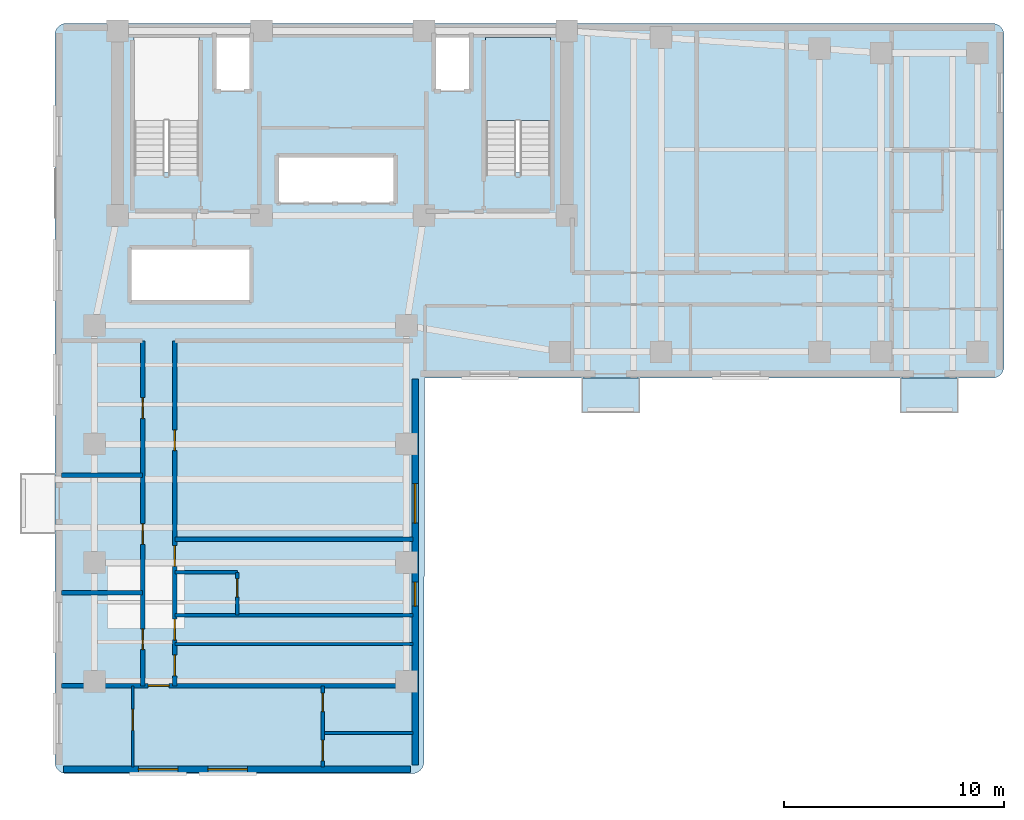
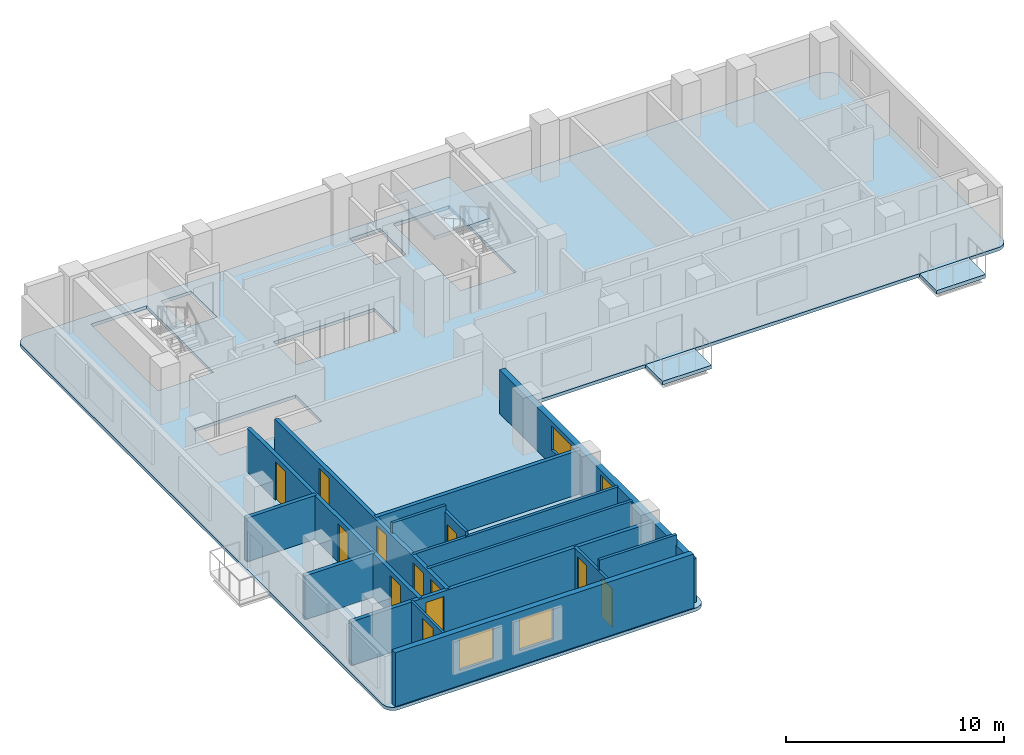
# One storey, part 2 of 7: 15 walls, 12 doors, 4 slabs, 4 windows, 16 openings, 1 element without a shape of its own.
"""IFC4 building model written with IfcOpenShell, lengths in metres."""

from ifc_helpers import new_model, si_unit, direction, frame, frame_2d, origin, place, context, subcontext, project, spatial, polyline, rectangle, outline, extrude, material, layer, layer_set, type_object, element, fill, aggregate, save


model = new_model("IFC4")

# Units and contexts
model_context = context("Model", 3, precision=1e-05, world=origin(), true_north=direction((0.0, 1.0)))
body_context = subcontext(model_context, "Body", "Model", "MODEL_VIEW")
ifc_project = project(units=[si_unit("LENGTHUNIT", "METRE"), si_unit("AREAUNIT", "SQUARE_METRE"), si_unit("VOLUMEUNIT", "CUBIC_METRE"), si_unit("PLANEANGLEUNIT", "RADIAN"), si_unit("MASSUNIT", "GRAM", prefix="KILO")], contexts=[model_context])

# Site, building, storey
site_placement = place(None, origin())
site = spatial("IfcSite", under=ifc_project, at=site_placement, CompositionType="ELEMENT")
building_placement = place(site_placement, origin())
building = spatial("IfcBuilding", under=site, at=building_placement, Name="Kuzgunbayir Cultural Tower", CompositionType="ELEMENT")
storey_placement = place(building_placement, frame((0.0, 0.0, 126.60009765625)))
storey = spatial("IfcBuildingStorey", under=building, at=storey_placement, Name="L36", CompositionType="ELEMENT", Elevation=126.60009765625)

# Slabs
ifc_material_1 = material(Name="Concrete C40/50", Category="concrete")
ifc_layer_1 = layer(ifc_material_1, 0.199951171875)
ifc_layer_set_1 = layer_set([ifc_layer_1], Name="Concrete C40/50")
slab_type_1 = type_object("IfcSlabType", Name="SLB-BAL-STONE", PredefinedType="FLOOR", material=ifc_layer_set_1)
slab_1_placement = place(storey_placement, frame((0.0, 0.0, -0.2001953125)))
element("IfcSlab", 1, at=slab_1_placement, inside=storey, type_object=slab_type_1, Name="L36 Projecting Limestone Balcony BAL-L36-WB1", PredefinedType="FLOOR", context=body_context, shape_type="SweptSolid", body=[
    extrude(outline(polyline([(27.60009765625, 24.840087890625), (30.199951171875, 24.840087890625), (30.199951171875, 26.39990234375), (27.60009765625, 26.39990234375), (27.60009765625, 24.840087890625)])), origin(), (0.0, 0.0, 1.0), 0.2001953125),
])
slab_2_placement = place(storey_placement, frame((0.0, 0.0, -0.2001953125)))
element("IfcSlab", 2, at=slab_2_placement, inside=storey, type_object=slab_type_1, Name="L36 Projecting Limestone Balcony BAL-L36-WB3", PredefinedType="FLOOR", context=body_context, shape_type="SweptSolid", body=[
    extrude(outline(polyline([(42.10009765625, 24.840087890625), (44.699951171875, 24.840087890625), (44.699951171875, 26.39990234375), (42.10009765625, 26.39990234375), (42.10009765625, 24.840087890625)])), origin(), (0.0, 0.0, 1.0), 0.2001953125),
])

# Stair, slab
stair_type = type_object("IfcStairType", Name="STR-EXIT-CORE", PredefinedType="HALF_TURN_STAIR", material=ifc_material_1)
stair_placement = place(storey_placement, origin())
stair = element("IfcStair", 3, at=stair_placement, inside=storey, type_object=stair_type, Name="L36 ST-2", PredefinedType="HALF_TURN_STAIR")
ifc_layer_2 = layer(ifc_material_1, 0.179931640625)
ifc_layer_set_2 = layer_set([ifc_layer_2], Name="Concrete C40/50")
slab_type_2 = type_object("IfcSlabType", Name="SLB-LANDING-180", PredefinedType="LANDING", material=ifc_layer_set_2)
slab_3_placement = place(storey_placement, frame((0.0, 0.0, 1.39990234375)))
slab_3 = element("IfcSlab", 4, at=slab_3_placement, type_object=slab_type_2, Name="ST-2 landing 1", PredefinedType="LANDING", context=body_context, shape_type="SweptSolid", body=[
    extrude(outline(polyline([(26.159912109375, 38.1201171875), (26.159912109375, 41.89990234375), (23.199951171875, 41.89990234375), (23.199951171875, 38.1201171875), (26.159912109375, 38.1201171875)])), origin(), (0.0, 0.0, 1.0), 0.199951171875),
])
aggregate(stair, [slab_3])

# Slab
ifc_layer_3 = layer(ifc_material_1, 0.179931640625)
ifc_layer_set_3 = layer_set([ifc_layer_3], Name="Concrete C40/50")
slab_type_3 = type_object("IfcSlabType", Name="SLB-TYP-180", PredefinedType="FLOOR", material=ifc_layer_set_3)
slab_4_placement = place(storey_placement, frame((0.0, 0.0, -0.18017578125)))
element("IfcSlab", 5, at=slab_4_placement, inside=storey, type_object=slab_type_3, Name="L36 Tower 1 Floor Slab T1-MAIN", PredefinedType="FLOOR", context=body_context, shape_type="SweptSolid", body=[
    extrude(outline(polyline([(20.39990234375, 8.949951171875), (20.389892578125, 8.840087890625), (20.360107421875, 8.739990234375), (20.31005859375, 8.639892578125), (20.239990234375, 8.56005859375), (20.159912109375, 8.489990234375), (20.06005859375, 8.43994140625), (19.9599609375, 8.409912109375), (19.85009765625, 8.39990234375), (4.14990234375, 8.39990234375), (4.0400390625, 8.409912109375), (3.93994140625, 8.43994140625), (3.840087890625, 8.489990234375), (3.760009765625, 8.56005859375), (3.68994140625, 8.639892578125), (3.639892578125, 8.739990234375), (3.610107421875, 8.840087890625), (3.60009765625, 8.949951171875), (3.60009765625, 42.0), (3.610107421875, 42.110107421875), (3.639892578125, 42.2099609375), (3.68994140625, 42.31005859375), (3.760009765625, 42.389892578125), (3.840087890625, 42.4599609375), (3.93994140625, 42.510009765625), (4.0400390625, 42.5400390625), (4.14990234375, 42.550048828125), (46.25, 42.550048828125), (46.360107421875, 42.5400390625), (46.4599609375, 42.510009765625), (46.56005859375, 42.4599609375), (46.639892578125, 42.389892578125), (46.7099609375, 42.31005859375), (46.760009765625, 42.2099609375), (46.7900390625, 42.110107421875), (46.800048828125, 42.0), (46.800048828125, 26.949951171875), (46.7900390625, 26.840087890625), (46.760009765625, 26.739990234375), (46.7099609375, 26.639892578125), (46.639892578125, 26.56005859375), (46.56005859375, 26.489990234375), (46.4599609375, 26.43994140625), (46.360107421875, 26.409912109375), (46.25, 26.39990234375), (20.429931640625, 26.39990234375), (20.39990234375, 8.949951171875)]), holes=[polyline([(7.199951171875, 35.760009765625), (7.199951171875, 41.89990234375), (10.159912109375, 41.89990234375), (10.159912109375, 35.760009765625), (7.199951171875, 35.760009765625)]), polyline([(23.199951171875, 35.760009765625), (23.199951171875, 41.89990234375), (26.159912109375, 41.89990234375), (26.159912109375, 35.760009765625), (23.199951171875, 35.760009765625)]), polyline([(13.75, 34.39990234375), (13.75, 36.5), (19.080078125, 36.5), (19.080078125, 34.39990234375), (13.75, 34.39990234375)]), polyline([(7.10009765625, 29.89990234375), (7.10009765625, 32.300048828125), (12.5, 32.300048828125), (12.5, 29.89990234375), (7.10009765625, 29.89990234375)]), polyline([(10.89990234375, 39.5), (10.89990234375, 41.89990234375), (12.5, 41.89990234375), (12.5, 39.5), (10.89990234375, 39.5)]), polyline([(20.89990234375, 39.5), (20.89990234375, 41.89990234375), (22.5, 41.89990234375), (22.5, 39.5), (20.89990234375, 39.5)])]), origin(), (0.0, 0.0, 1.0), 0.18017578125),
])

# Wall, openings, windows
ifc_material_2 = material(Name="Anatolian Cream Limestone", Category="masonry")
ifc_layer_4 = layer(ifc_material_2, 0.300048828125)
ifc_layer_set_4 = layer_set([ifc_layer_4], Name="Anatolian Cream Limestone")
wall_type_1 = type_object("IfcWallType", Name="WAL-EXT-STONE-300", PredefinedType="STANDARD", material=ifc_layer_set_4)
wall_1_placement = place(storey_placement, frame((4.0, 8.60009765625, 0.0), z_axis=(0.0, 0.0, 1.0), x_axis=(1.0, 0.0, 0.0)))
wall_1 = element("IfcWall", 6, at=wall_1_placement, inside=storey, type_object=wall_type_1, Name="L36 Wing A South Limestone Wall", PredefinedType="STANDARD", context=body_context, shape_type="SweptSolid", body=[
    extrude(rectangle(XDim=15.800048828125, YDim=0.300048828125, at=frame_2d((7.89990234375, 0.0))), origin(), (0.0, 0.0, 1.0), 3.02001953125),
])
opening_1_placement = place(wall_1_placement, frame((6.570068359375, 0.0, 0.85009765625)))
opening_1 = element("IfcOpeningElement", 7, at=opening_1_placement, cuts=wall_1, Name="Opening WH-18", PredefinedType="OPENING", context=body_context, shape_type="SweptSolid", body=[
    extrude(rectangle(XDim=1.800048828125, YDim=1.75, at=frame_2d((0.89990234375, 0.875))), frame((0.0, 0.16015625, 0.0), z_axis=(0.0, -1.0, 0.0), x_axis=(1.0, 0.0, 0.0)), (0.0, 0.0, 1.0), 0.320068359375),
])
opening_2_placement = place(wall_1_placement, frame((3.39990234375, 0.0, 0.85009765625)))
opening_2 = element("IfcOpeningElement", 8, at=opening_2_placement, cuts=wall_1, Name="Opening WH-18", PredefinedType="OPENING", context=body_context, shape_type="SweptSolid", body=[
    extrude(rectangle(XDim=1.800048828125, YDim=1.75, at=frame_2d((0.89990234375, 0.875))), frame((0.0, 0.16015625, 0.0), z_axis=(0.0, -1.0, 0.0), x_axis=(1.0, 0.0, 0.0)), (0.0, 0.0, 1.0), 0.320068359375),
])
ifc_material_3 = material(Name="Solar-Control Triple Glazing", Category="glass")
window_type_1 = type_object("IfcWindowType", Name="WIN-HOTEL-18", PartitioningType="SINGLE_PANEL", PredefinedType="WINDOW", material=ifc_material_3)
window_1_placement = place(opening_1_placement, origin())
window_1 = element("IfcWindow", 9, at=window_1_placement, inside=storey, type_object=window_type_1, Name="L36 WAS Facade Window 2", OverallHeight=1.75, OverallWidth=1.800048828125, PartitioningType="SINGLE_PANEL", PredefinedType="WINDOW", context=body_context, shape_type="SweptSolid", body=[
    extrude(rectangle(XDim=1.800048828125, YDim=1.75, at=frame_2d((0.89990234375, 0.875))), frame((0.0, 0.030029296875, 0.0), z_axis=(0.0, -1.0, 0.0), x_axis=(1.0, 0.0, 0.0)), (0.0, 0.0, 1.0), 0.06005859375),
])
fill(opening_1, window_1)
window_2_placement = place(opening_2_placement, origin())
window_2 = element("IfcWindow", 10, at=window_2_placement, inside=storey, type_object=window_type_1, Name="L36 WAS Facade Window 11", OverallHeight=1.75, OverallWidth=1.800048828125, PartitioningType="SINGLE_PANEL", PredefinedType="WINDOW", context=body_context, shape_type="SweptSolid", body=[
    extrude(rectangle(XDim=1.800048828125, YDim=1.75, at=frame_2d((0.89990234375, 0.875))), frame((0.0, 0.030029296875, 0.0), z_axis=(0.0, -1.0, 0.0), x_axis=(1.0, 0.0, 0.0)), (0.0, 0.0, 1.0), 0.06005859375),
])
fill(opening_2, window_2)

wall_2_placement = place(storey_placement, frame((20.0, 8.800048828125, 0.0), z_axis=(0.0, 0.0, 1.0), x_axis=(0.0, 1.0, 0.0)))
wall_2 = element("IfcWall", 11, at=wall_2_placement, inside=storey, type_object=wall_type_1, Name="L36 Wing A East Limestone Wall", PredefinedType="STANDARD", context=body_context, shape_type="SweptSolid", body=[
    extrude(rectangle(XDim=17.550048828125, YDim=0.300048828125, at=frame_2d((8.77490234375, 0.0))), origin(), (0.0, 0.0, 1.0), 2.449951171875),
])
opening_3_placement = place(wall_2_placement, frame((7.219970703125, 0.0, 0.85009765625)))
opening_3 = element("IfcOpeningElement", 12, at=opening_3_placement, cuts=wall_2, Name="Opening WN-11", PredefinedType="OPENING", context=body_context, shape_type="SweptSolid", body=[
    extrude(rectangle(XDim=1.10009765625, YDim=1.35009765625, at=frame_2d((0.550048828125, 0.675048828125))), frame((0.0, 0.16015625, 0.0), z_axis=(0.0, -1.0, 0.0), x_axis=(1.0, 0.0, 0.0)), (0.0, 0.0, 1.0), 0.320068359375),
])
opening_4_placement = place(wall_2_placement, frame((11.0, 0.0, 0.85009765625)))
opening_4 = element("IfcOpeningElement", 13, at=opening_4_placement, cuts=wall_2, Name="Opening WH-18", PredefinedType="OPENING", context=body_context, shape_type="SweptSolid", body=[
    extrude(rectangle(XDim=1.800048828125, YDim=1.35009765625, at=frame_2d((0.89990234375, 0.675048828125))), frame((0.0, 0.16015625, 0.0), z_axis=(0.0, -1.0, 0.0), x_axis=(1.0, 0.0, 0.0)), (0.0, 0.0, 1.0), 0.320068359375),
])
window_3_placement = place(opening_4_placement, origin())
window_3 = element("IfcWindow", 14, at=window_3_placement, inside=storey, type_object=window_type_1, Name="L36 WAE Facade Window 10", OverallHeight=1.35009765625, OverallWidth=1.800048828125, PartitioningType="SINGLE_PANEL", PredefinedType="WINDOW", context=body_context, shape_type="SweptSolid", body=[
    extrude(rectangle(XDim=1.800048828125, YDim=1.35009765625, at=frame_2d((0.89990234375, 0.675048828125))), frame((0.0, 0.030029296875, 0.0), z_axis=(0.0, -1.0, 0.0), x_axis=(1.0, 0.0, 0.0)), (0.0, 0.0, 1.0), 0.06005859375),
])
fill(opening_4, window_3)
window_type_2 = type_object("IfcWindowType", Name="WIN-NARROW-11", PartitioningType="SINGLE_PANEL", PredefinedType="WINDOW", material=ifc_material_3)
window_4_placement = place(opening_3_placement, origin())
window_4 = element("IfcWindow", 15, at=window_4_placement, inside=storey, type_object=window_type_2, Name="L36 WAE Facade Window 3", OverallHeight=1.35009765625, OverallWidth=1.10009765625, PartitioningType="SINGLE_PANEL", PredefinedType="WINDOW", context=body_context, shape_type="SweptSolid", body=[
    extrude(rectangle(XDim=1.10009765625, YDim=1.35009765625, at=frame_2d((0.550048828125, 0.675048828125))), frame((0.0, 0.030029296875, 0.0), z_axis=(0.0, -1.0, 0.0), x_axis=(1.0, 0.0, 0.0)), (0.0, 0.0, 1.0), 0.06005859375),
])
fill(opening_3, window_4)

# Wall
ifc_material_4 = material(Name="Acoustic Double-Stud Drywall", Category="gypsum")
ifc_layer_5 = layer(ifc_material_4, 0.14990234375)
ifc_layer_set_5 = layer_set([ifc_layer_5], Name="Acoustic Double-Stud Drywall")
wall_type_2 = type_object("IfcWallType", Name="WAL-PART-ACOUSTIC-150", PredefinedType="PARTITIONING", material=ifc_layer_set_5)
wall_3_placement = place(storey_placement, frame((9.06005859375, 14.300048828125, 0.0), z_axis=(0.0, 0.0, 1.0), x_axis=(1.0, 0.0, 0.0)))
element("IfcWall", 16, at=wall_3_placement, inside=storey, type_object=wall_type_2, Name="L36 Housekeeping North Wall", PredefinedType="PARTITIONING", context=body_context, shape_type="SweptSolid", body=[
    extrude(rectangle(XDim=10.83984375, YDim=0.14990234375, at=frame_2d((5.419921875, 0.0))), origin(), (0.0, 0.0, 1.0), 2.449951171875),
])

# Wall, openings, doors
ifc_material_5 = material(Name="Aerated Concrete Blockwork", Category="masonry")
ifc_layer_6 = layer(ifc_material_5, 0.199951171875)
ifc_layer_set_6 = layer_set([ifc_layer_6], Name="Aerated Concrete Blockwork")
wall_type_3 = type_object("IfcWallType", Name="WAL-PART-FIRE-200", PredefinedType="PARTITIONING", material=ifc_layer_set_6)
wall_4_placement = place(storey_placement, frame((7.60009765625, 12.39990234375, 0.0), z_axis=(0.0, 0.0, 1.0), x_axis=(0.0, 1.0, 0.0)))
wall_4 = element("IfcWall", 17, at=wall_4_placement, inside=storey, type_object=wall_type_3, Name="L36 Wing A West Corridor Wall", PredefinedType="PARTITIONING", context=body_context, shape_type="SweptSolid", body=[
    extrude(rectangle(XDim=15.7001953125, YDim=0.199951171875, at=frame_2d((7.85009765625, 0.0))), origin(), (0.0, 0.0, 1.0), 2.449951171875),
])
opening_5_placement = place(wall_4_placement, frame((1.639892578125, 0.0, 0.0)))
opening_5 = element("IfcOpeningElement", 18, at=opening_5_placement, cuts=wall_4, Name="Opening DI-90", PredefinedType="OPENING", context=body_context, shape_type="SweptSolid", body=[
    extrude(rectangle(XDim=0.949951171875, YDim=2.14990234375, at=frame_2d((0.47509765625, 1.074951171875))), frame((0.0, 0.10986328125, 0.0), z_axis=(0.0, -1.0, 0.0), x_axis=(1.0, 0.0, 0.0)), (0.0, 0.0, 1.0), 0.219970703125),
])
opening_6_placement = place(wall_4_placement, frame((6.429931640625, 0.0, 0.0)))
opening_6 = element("IfcOpeningElement", 19, at=opening_6_placement, cuts=wall_4, Name="Opening DI-90", PredefinedType="OPENING", context=body_context, shape_type="SweptSolid", body=[
    extrude(rectangle(XDim=0.949951171875, YDim=2.14990234375, at=frame_2d((0.47509765625, 1.074951171875))), frame((0.0, 0.10986328125, 0.0), z_axis=(0.0, -1.0, 0.0), x_axis=(1.0, 0.0, 0.0)), (0.0, 0.0, 1.0), 0.219970703125),
])
opening_7_placement = place(wall_4_placement, frame((12.159912109375, 0.0, 0.0)))
opening_7 = element("IfcOpeningElement", 20, at=opening_7_placement, cuts=wall_4, Name="Opening DI-90", PredefinedType="OPENING", context=body_context, shape_type="SweptSolid", body=[
    extrude(rectangle(XDim=0.949951171875, YDim=2.14990234375, at=frame_2d((0.47509765625, 1.074951171875))), frame((0.0, 0.10986328125, 0.0), z_axis=(0.0, -1.0, 0.0), x_axis=(1.0, 0.0, 0.0)), (0.0, 0.0, 1.0), 0.219970703125),
])
ifc_material_6 = material(Name="Veneered Oak Single Leaf", Category="wood")
door_type_1 = type_object("IfcDoorType", Name="DR-INT-90", OperationType="NOTDEFINED", PredefinedType="DOOR", material=ifc_material_6)
door_1_placement = place(opening_5_placement, origin())
door_1 = element("IfcDoor", 21, at=door_1_placement, inside=storey, type_object=door_type_1, Name="L36 Curatorial Office 1 Door", OperationType="SINGLE_SWING_LEFT", OverallHeight=2.14990234375, OverallWidth=0.949951171875, PredefinedType="DOOR", context=body_context, shape_type="SweptSolid", body=[
    extrude(rectangle(XDim=0.949951171875, YDim=2.14990234375, at=frame_2d((0.47509765625, 1.074951171875))), frame((0.0, 0.02490234375, 0.0), z_axis=(0.0, -1.0, 0.0), x_axis=(1.0, 0.0, 0.0)), (0.0, 0.0, 1.0), 0.050048828125),
])
fill(opening_5, door_1)
door_2_placement = place(opening_6_placement, origin())
door_2 = element("IfcDoor", 22, at=door_2_placement, inside=storey, type_object=door_type_1, Name="L36 Curatorial Office 2 Door", OperationType="SINGLE_SWING_RIGHT", OverallHeight=2.14990234375, OverallWidth=0.949951171875, PredefinedType="DOOR", context=body_context, shape_type="SweptSolid", body=[
    extrude(rectangle(XDim=0.949951171875, YDim=2.14990234375, at=frame_2d((0.47509765625, 1.074951171875))), frame((0.0, 0.02490234375, 0.0), z_axis=(0.0, -1.0, 0.0), x_axis=(1.0, 0.0, 0.0)), (0.0, 0.0, 1.0), 0.050048828125),
])
fill(opening_6, door_2)
door_3_placement = place(opening_7_placement, origin())
door_3 = element("IfcDoor", 23, at=door_3_placement, inside=storey, type_object=door_type_1, Name="L36 Curatorial Office 3 Door", OperationType="SINGLE_SWING_LEFT", OverallHeight=2.14990234375, OverallWidth=0.949951171875, PredefinedType="DOOR", context=body_context, shape_type="SweptSolid", body=[
    extrude(rectangle(XDim=0.949951171875, YDim=2.14990234375, at=frame_2d((0.47509765625, 1.074951171875))), frame((0.0, 0.02490234375, 0.0), z_axis=(0.0, -1.0, 0.0), x_axis=(1.0, 0.0, 0.0)), (0.0, 0.0, 1.0), 0.050048828125),
])
fill(opening_7, door_3)

wall_5_placement = place(storey_placement, frame((9.06005859375, 12.39990234375, 0.0), z_axis=(0.0, 0.0, 1.0), x_axis=(0.0, 1.0, 0.0)))
wall_5 = element("IfcWall", 24, at=wall_5_placement, inside=storey, type_object=wall_type_3, Name="L36 Wing A East Corridor Wall", PredefinedType="PARTITIONING", context=body_context, shape_type="SweptSolid", body=[
    extrude(rectangle(XDim=15.7001953125, YDim=0.199951171875, at=frame_2d((7.85009765625, 0.0))), origin(), (0.0, 0.0, 1.0), 2.449951171875),
])
opening_8_placement = place(wall_5_placement, frame((0.449951171875, 0.0, 0.0)))
opening_8 = element("IfcOpeningElement", 25, at=opening_8_placement, cuts=wall_5, Name="Opening DI-90", PredefinedType="OPENING", context=body_context, shape_type="SweptSolid", body=[
    extrude(rectangle(XDim=0.949951171875, YDim=2.14990234375, at=frame_2d((0.47509765625, 1.074951171875))), frame((0.0, 0.10986328125, 0.0), z_axis=(0.0, -1.0, 0.0), x_axis=(1.0, 0.0, 0.0)), (0.0, 0.0, 1.0), 0.219970703125),
])
opening_9_placement = place(wall_5_placement, frame((2.080078125, 0.0, 0.0)))
opening_9 = element("IfcOpeningElement", 26, at=opening_9_placement, cuts=wall_5, Name="Opening DW-95", PredefinedType="OPENING", context=body_context, shape_type="SweptSolid", body=[
    extrude(rectangle(XDim=0.949951171875, YDim=2.10009765625, at=frame_2d((0.47509765625, 1.050048828125))), frame((0.0, 0.10986328125, 0.0), z_axis=(0.0, -1.0, 0.0), x_axis=(1.0, 0.0, 0.0)), (0.0, 0.0, 1.0), 0.219970703125),
])
opening_10_placement = place(wall_5_placement, frame((10.699951171875, 0.0, 0.0)))
opening_10 = element("IfcOpeningElement", 27, at=opening_10_placement, cuts=wall_5, Name="Opening DI-90", PredefinedType="OPENING", context=body_context, shape_type="SweptSolid", body=[
    extrude(rectangle(XDim=0.949951171875, YDim=2.14990234375, at=frame_2d((0.47509765625, 1.074951171875))), frame((0.0, 0.10986328125, 0.0), z_axis=(0.0, -1.0, 0.0), x_axis=(1.0, 0.0, 0.0)), (0.0, 0.0, 1.0), 0.219970703125),
])
opening_11_placement = place(wall_5_placement, frame((5.429931640625, 0.0, 0.0)))
opening_11 = element("IfcOpeningElement", 28, at=opening_11_placement, cuts=wall_5, Name="Opening DR-APT-60", PredefinedType="OPENING", context=body_context, shape_type="SweptSolid", body=[
    extrude(rectangle(XDim=0.949951171875, YDim=2.14990234375, at=frame_2d((0.47509765625, 1.074951171875))), frame((0.0, 0.10986328125, 0.0), z_axis=(0.0, -1.0, 0.0), x_axis=(1.0, 0.0, 0.0)), (0.0, 0.0, 1.0), 0.219970703125),
])
ifc_material_7 = material(Name="Acoustic Fire Timber Leaf", Category="wood")
door_type_2 = type_object("IfcDoorType", Name="DR-APT-60", OperationType="NOTDEFINED", PredefinedType="DOOR", material=ifc_material_7)
door_4_placement = place(opening_11_placement, origin())
door_4 = element("IfcDoor", 29, at=door_4_placement, inside=storey, type_object=door_type_2, Name="L36 Guest Suite E1 Entrance", OperationType="SINGLE_SWING_RIGHT", OverallHeight=2.14990234375, OverallWidth=0.949951171875, PredefinedType="DOOR", context=body_context, shape_type="SweptSolid", body=[
    extrude(rectangle(XDim=0.949951171875, YDim=2.14990234375, at=frame_2d((0.47509765625, 1.074951171875))), frame((0.0, 0.02490234375, 0.0), z_axis=(0.0, -1.0, 0.0), x_axis=(1.0, 0.0, 0.0)), (0.0, 0.0, 1.0), 0.050048828125),
])
fill(opening_11, door_4)
door_5_placement = place(opening_8_placement, origin())
door_5 = element("IfcDoor", 30, at=door_5_placement, inside=storey, type_object=door_type_1, Name="L36 Housekeeping Room Door", OperationType="SINGLE_SWING_RIGHT", OverallHeight=2.14990234375, OverallWidth=0.949951171875, PredefinedType="DOOR", context=body_context, shape_type="SweptSolid", body=[
    extrude(rectangle(XDim=0.949951171875, YDim=2.14990234375, at=frame_2d((0.47509765625, 1.074951171875))), frame((0.0, 0.02490234375, 0.0), z_axis=(0.0, -1.0, 0.0), x_axis=(1.0, 0.0, 0.0)), (0.0, 0.0, 1.0), 0.050048828125),
])
fill(opening_8, door_5)
door_6_placement = place(opening_10_placement, origin())
door_6 = element("IfcDoor", 31, at=door_6_placement, inside=storey, type_object=door_type_1, Name="L36 Curatorial Office E1 Door", OperationType="SINGLE_SWING_RIGHT", OverallHeight=2.14990234375, OverallWidth=0.949951171875, PredefinedType="DOOR", context=body_context, shape_type="SweptSolid", body=[
    extrude(rectangle(XDim=0.949951171875, YDim=2.14990234375, at=frame_2d((0.47509765625, 1.074951171875))), frame((0.0, 0.02490234375, 0.0), z_axis=(0.0, -1.0, 0.0), x_axis=(1.0, 0.0, 0.0)), (0.0, 0.0, 1.0), 0.050048828125),
])
fill(opening_10, door_6)
ifc_material_8 = material(Name="Laminate Moisture-Resistant Leaf", Category="wood")
door_type_3 = type_object("IfcDoorType", Name="DR-WET-95", OperationType="NOTDEFINED", PredefinedType="DOOR", material=ifc_material_8)
door_7_placement = place(opening_9_placement, origin())
door_7 = element("IfcDoor", 32, at=door_7_placement, inside=storey, type_object=door_type_3, Name="L36 Accessible WC Door", OperationType="SINGLE_SWING_LEFT", OverallHeight=2.10009765625, OverallWidth=0.949951171875, PredefinedType="DOOR", context=body_context, shape_type="SweptSolid", body=[
    extrude(rectangle(XDim=0.949951171875, YDim=2.10009765625, at=frame_2d((0.47509765625, 1.050048828125))), frame((0.0, 0.02490234375, 0.0), z_axis=(0.0, -1.0, 0.0), x_axis=(1.0, 0.0, 0.0)), (0.0, 0.0, 1.0), 0.050048828125),
])
fill(opening_9, door_7)

# Wall, opening, door
wall_6_placement = place(storey_placement, frame((3.89990234375, 12.39990234375, 0.0), z_axis=(0.0, 0.0, 1.0), x_axis=(1.0, 0.0, 0.0)))
wall_6 = element("IfcWall", 33, at=wall_6_placement, inside=storey, type_object=wall_type_3, Name="L36 South Cross Partition", PredefinedType="PARTITIONING", context=body_context, shape_type="SweptSolid", body=[
    extrude(rectangle(XDim=16.0, YDim=0.199951171875, at=frame_2d((8.0, 0.0))), origin(), (0.0, 0.0, 1.0), 2.449951171875),
])
opening_12_placement = place(wall_6_placement, frame((3.949951171875, 0.0, 0.0)))
opening_12 = element("IfcOpeningElement", 34, at=opening_12_placement, cuts=wall_6, Name="Opening DR-APT-60", PredefinedType="OPENING", context=body_context, shape_type="SweptSolid", body=[
    extrude(rectangle(XDim=0.949951171875, YDim=2.14990234375, at=frame_2d((0.47509765625, 1.074951171875))), frame((0.0, 0.10986328125, 0.0), z_axis=(0.0, -1.0, 0.0), x_axis=(1.0, 0.0, 0.0)), (0.0, 0.0, 1.0), 0.219970703125),
])
door_8_placement = place(opening_12_placement, origin())
door_8 = element("IfcDoor", 35, at=door_8_placement, inside=storey, type_object=door_type_2, Name="L36 Diplomatic Suite Entrance", OperationType="SINGLE_SWING_RIGHT", OverallHeight=2.14990234375, OverallWidth=0.949951171875, PredefinedType="DOOR", context=body_context, shape_type="SweptSolid", body=[
    extrude(rectangle(XDim=0.949951171875, YDim=2.14990234375, at=frame_2d((0.47509765625, 1.074951171875))), frame((0.0, 0.02490234375, 0.0), z_axis=(0.0, -1.0, 0.0), x_axis=(1.0, 0.0, 0.0)), (0.0, 0.0, 1.0), 0.050048828125),
])
fill(opening_12, door_8)

# Walls
for number, where, z_axis, x_axis, name in (
    (36, (3.89990234375, 16.639892578125, 0.0), (0.0, 0.0, 1.0), (1.0, 0.0, 0.0), "L36 West Party Wall 1"),
    (37, (3.89990234375, 21.97998046875, 0.0), (0.0, 0.0, 1.0), (1.0, 0.0, 0.0), "L36 West Party Wall 2"),
):
    element("IfcWall", number, at=place(storey_placement, frame(where, z_axis=z_axis, x_axis=x_axis)), inside=storey, type_object=wall_type_3, Name=name, PredefinedType="PARTITIONING", context=body_context, shape_type="SweptSolid", body=[
        extrude(rectangle(XDim=3.7001953125, YDim=0.199951171875, at=frame_2d((1.85009765625, 0.0))), origin(), (0.0, 0.0, 1.0), 2.449951171875),
    ])
wall_7_placement = place(storey_placement, frame((9.06005859375, 19.06005859375, 0.0), z_axis=(0.0, 0.0, 1.0), x_axis=(1.0, 0.0, 0.0)))
element("IfcWall", 38, at=wall_7_placement, inside=storey, type_object=wall_type_3, Name="L36 Suite E1 Sub-Party Wall", PredefinedType="PARTITIONING", context=body_context, shape_type="SweptSolid", body=[
    extrude(rectangle(XDim=10.83984375, YDim=0.199951171875, at=frame_2d((5.419921875, 0.0))), origin(), (0.0, 0.0, 1.0), 2.449951171875),
])

# Wall, opening, door
ifc_material_9 = material(Name="Framed Gypsum Partition", Category="gypsum")
ifc_layer_7 = layer(ifc_material_9, 0.1201171875)
ifc_layer_set_7 = layer_set([ifc_layer_7], Name="Framed Gypsum Partition")
wall_type_4 = type_object("IfcWallType", Name="WAL-PART-INT-120", PredefinedType="PARTITIONING", material=ifc_layer_set_7)
wall_8_placement = place(storey_placement, frame((7.14990234375, 8.699951171875, 0.0), z_axis=(0.0, 0.0, 1.0), x_axis=(0.0, 1.0, 0.0)))
wall_8 = element("IfcWall", 39, at=wall_8_placement, inside=storey, type_object=wall_type_4, Name="L36 Diplomatic Suite Bedroom Wall", PredefinedType="PARTITIONING", context=body_context, shape_type="SweptSolid", body=[
    extrude(rectangle(XDim=3.699951171875, YDim=0.1201171875, at=frame_2d((1.85009765625, 0.0))), origin(), (0.0, 0.0, 1.0), 2.449951171875),
])
opening_13_placement = place(wall_8_placement, frame((1.669921875, 0.0, 0.0)))
opening_13 = element("IfcOpeningElement", 40, at=opening_13_placement, cuts=wall_8, Name="Opening DI-90", PredefinedType="OPENING", context=body_context, shape_type="SweptSolid", body=[
    extrude(rectangle(XDim=0.949951171875, YDim=2.14990234375, at=frame_2d((0.47509765625, 1.074951171875))), frame((0.0, 0.070068359375, 0.0), z_axis=(0.0, -1.0, 0.0), x_axis=(1.0, 0.0, 0.0)), (0.0, 0.0, 1.0), 0.14013671875),
])
door_9_placement = place(opening_13_placement, origin())
door_9 = element("IfcDoor", 41, at=door_9_placement, inside=storey, type_object=door_type_1, Name="L36 Diplomatic Bedroom Door", OperationType="SINGLE_SWING_LEFT", OverallHeight=2.14990234375, OverallWidth=0.949951171875, PredefinedType="DOOR", context=body_context, shape_type="SweptSolid", body=[
    extrude(rectangle(XDim=0.949951171875, YDim=2.14990234375, at=frame_2d((0.47509765625, 1.074951171875))), frame((0.0, 0.02490234375, 0.0), z_axis=(0.0, -1.0, 0.0), x_axis=(1.0, 0.0, 0.0)), (0.0, 0.0, 1.0), 0.050048828125),
])
fill(opening_13, door_9)

# Wall, openings, doors
ifc_material_10 = material(Name="Moisture-Resistant Tile Partition", Category="gypsum")
ifc_layer_8 = layer(ifc_material_10, 0.14990234375)
ifc_layer_set_8 = layer_set([ifc_layer_8], Name="Moisture-Resistant Tile Partition")
wall_type_5 = type_object("IfcWallType", Name="WAL-PART-WET-150", PredefinedType="PARTITIONING", material=ifc_layer_set_8)
wall_9_placement = place(storey_placement, frame((15.800048828125, 8.699951171875, 0.0), z_axis=(0.0, 0.0, 1.0), x_axis=(0.0, 1.0, 0.0)))
wall_9 = element("IfcWall", 42, at=wall_9_placement, inside=storey, type_object=wall_type_5, Name="L36 Diplomatic Suite Service Wall", PredefinedType="PARTITIONING", context=body_context, shape_type="SweptSolid", body=[
    extrude(rectangle(XDim=3.699951171875, YDim=0.14990234375, at=frame_2d((1.85009765625, 0.0))), origin(), (0.0, 0.0, 1.0), 2.449951171875),
])
opening_14_placement = place(wall_9_placement, frame((0.280029296875, 0.0, 0.0)))
opening_14 = element("IfcOpeningElement", 43, at=opening_14_placement, cuts=wall_9, Name="Opening DI-90", PredefinedType="OPENING", context=body_context, shape_type="SweptSolid", body=[
    extrude(rectangle(XDim=0.949951171875, YDim=2.14990234375, at=frame_2d((0.47509765625, 1.074951171875))), frame((0.0, 0.0849609375, 0.0), z_axis=(0.0, -1.0, 0.0), x_axis=(1.0, 0.0, 0.0)), (0.0, 0.0, 1.0), 0.169921875),
])
opening_15_placement = place(wall_9_placement, frame((2.52001953125, 0.0, 0.0)))
opening_15 = element("IfcOpeningElement", 44, at=opening_15_placement, cuts=wall_9, Name="Opening DW-85", PredefinedType="OPENING", context=body_context, shape_type="SweptSolid", body=[
    extrude(rectangle(XDim=0.85009765625, YDim=2.10009765625, at=frame_2d((0.425048828125, 1.050048828125))), frame((0.0, 0.0849609375, 0.0), z_axis=(0.0, -1.0, 0.0), x_axis=(1.0, 0.0, 0.0)), (0.0, 0.0, 1.0), 0.169921875),
])
door_10_placement = place(opening_14_placement, origin())
door_10 = element("IfcDoor", 45, at=door_10_placement, inside=storey, type_object=door_type_1, Name="L36 Diplomatic Kitchen Door", OperationType="SINGLE_SWING_RIGHT", OverallHeight=2.14990234375, OverallWidth=0.949951171875, PredefinedType="DOOR", context=body_context, shape_type="SweptSolid", body=[
    extrude(rectangle(XDim=0.949951171875, YDim=2.14990234375, at=frame_2d((0.47509765625, 1.074951171875))), frame((0.0, 0.02490234375, 0.0), z_axis=(0.0, -1.0, 0.0), x_axis=(1.0, 0.0, 0.0)), (0.0, 0.0, 1.0), 0.050048828125),
])
fill(opening_14, door_10)
door_type_4 = type_object("IfcDoorType", Name="DR-WET-85", OperationType="NOTDEFINED", PredefinedType="DOOR", material=ifc_material_8)
door_11_placement = place(opening_15_placement, origin())
door_11 = element("IfcDoor", 46, at=door_11_placement, inside=storey, type_object=door_type_4, Name="L36 Diplomatic Bathroom Door", OperationType="SINGLE_SWING_LEFT", OverallHeight=2.10009765625, OverallWidth=0.85009765625, PredefinedType="DOOR", context=body_context, shape_type="SweptSolid", body=[
    extrude(rectangle(XDim=0.85009765625, YDim=2.10009765625, at=frame_2d((0.425048828125, 1.050048828125))), frame((0.0, 0.02490234375, 0.0), z_axis=(0.0, -1.0, 0.0), x_axis=(1.0, 0.0, 0.0)), (0.0, 0.0, 1.0), 0.050048828125),
])
fill(opening_15, door_11)

# Walls
wall_10_placement = place(storey_placement, frame((15.800048828125, 10.25, 0.0), z_axis=(0.0, 0.0, 1.0), x_axis=(1.0, 0.0, 0.0)))
element("IfcWall", 47, at=wall_10_placement, inside=storey, type_object=wall_type_5, Name="L36 Diplomatic Suite Bath Kitchen Divider", PredefinedType="PARTITIONING", context=body_context, shape_type="SweptSolid", body=[
    extrude(rectangle(XDim=4.099853515625, YDim=0.14990234375, at=frame_2d((2.0498046875, 0.0))), origin(), (0.0, 0.0, 1.0), 3.02001953125),
])
wall_11_placement = place(storey_placement, frame((9.06005859375, 15.610107421875, 0.0), z_axis=(0.0, 0.0, 1.0), x_axis=(1.0, 0.0, 0.0)))
element("IfcWall", 48, at=wall_11_placement, inside=storey, type_object=wall_type_5, Name="L36 Accessible WC North Wall", PredefinedType="PARTITIONING", context=body_context, shape_type="SweptSolid", body=[
    extrude(rectangle(XDim=10.83984375, YDim=0.14990234375, at=frame_2d((5.419921875, 0.0))), origin(), (0.0, 0.0, 1.0), 2.449951171875),
])
wall_12_placement = place(storey_placement, frame((9.06005859375, 17.56005859375, 0.0), z_axis=(0.0, 0.0, 1.0), x_axis=(1.0, 0.0, 0.0)))
element("IfcWall", 49, at=wall_12_placement, inside=storey, type_object=wall_type_5, Name="L36 Suite E1 En-Suite North Wall", PredefinedType="PARTITIONING", context=body_context, shape_type="SweptSolid", body=[
    extrude(rectangle(XDim=2.849853515625, YDim=0.14990234375, at=frame_2d((1.4248046875, 0.0))), origin(), (0.0, 0.0, 1.0), 3.02001953125),
])

# Wall, opening, door
wall_13_placement = place(storey_placement, frame((11.909912109375, 15.610107421875, 0.0), z_axis=(0.0, 0.0, 1.0), x_axis=(0.0, 1.0, 0.0)))
wall_13 = element("IfcWall", 50, at=wall_13_placement, inside=storey, type_object=wall_type_5, Name="L36 Suite E1 En-Suite East Wall", PredefinedType="PARTITIONING", context=body_context, shape_type="SweptSolid", body=[
    extrude(rectangle(XDim=1.949951171875, YDim=0.14990234375, at=frame_2d((0.97509765625, 0.0))), origin(), (0.0, 0.0, 1.0), 2.7099609375),
])
opening_16_placement = place(wall_13_placement, frame((0.820068359375, 0.0, 0.0)))
opening_16 = element("IfcOpeningElement", 51, at=opening_16_placement, cuts=wall_13, Name="Opening DW-85", PredefinedType="OPENING", context=body_context, shape_type="SweptSolid", body=[
    extrude(rectangle(XDim=0.85009765625, YDim=2.10009765625, at=frame_2d((0.425048828125, 1.050048828125))), frame((0.0, 0.0849609375, 0.0), z_axis=(0.0, -1.0, 0.0), x_axis=(1.0, 0.0, 0.0)), (0.0, 0.0, 1.0), 0.169921875),
])
door_12_placement = place(opening_16_placement, origin())
door_12 = element("IfcDoor", 52, at=door_12_placement, inside=storey, type_object=door_type_4, Name="L36 Suite E1 En-Suite Door", OperationType="SINGLE_SWING_LEFT", OverallHeight=2.10009765625, OverallWidth=0.85009765625, PredefinedType="DOOR", context=body_context, shape_type="SweptSolid", body=[
    extrude(rectangle(XDim=0.85009765625, YDim=2.10009765625, at=frame_2d((0.425048828125, 1.050048828125))), frame((0.0, 0.02490234375, 0.0), z_axis=(0.0, -1.0, 0.0), x_axis=(1.0, 0.0, 0.0)), (0.0, 0.0, 1.0), 0.050048828125),
])
fill(opening_16, door_12)

save(model, "model.ifc")
